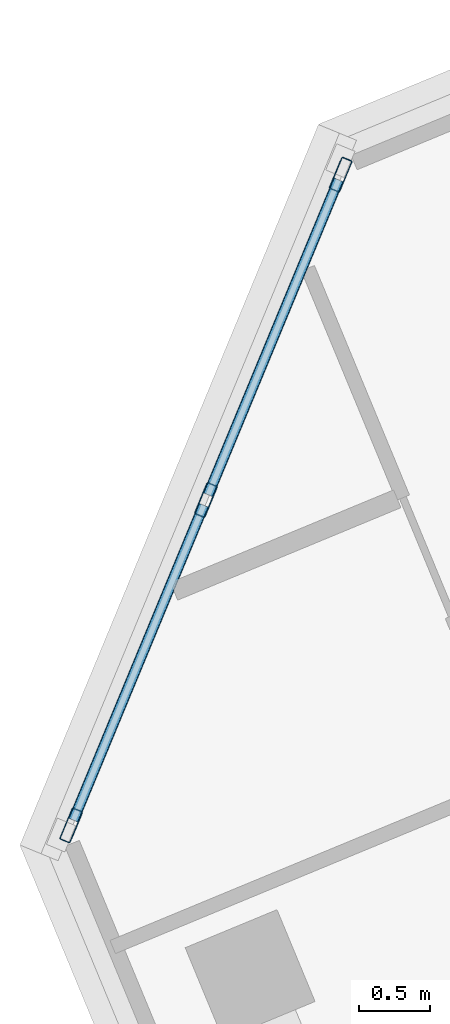
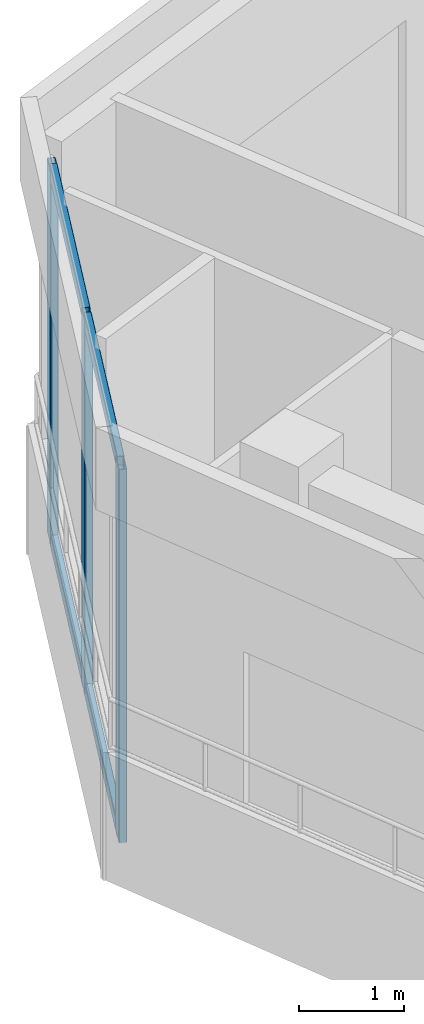
# One storey, part 4 of 17: 7 members, 1 element without a shape of its own.
"""IFC4 building model written with IfcOpenShell, lengths in metres."""

import ifcopenshell
import ifcopenshell.guid

model = None  # the IFC model being written
_history = None  # IfcOwnerHistory: only IFC2X3 demands one
_inside = {}  # id of a spatial element -> (the spatial element, [elements in it])
_under = {}  # id of a project, library or spatial element -> (it, [spatial elements below it])
_declared = {}  # id of a project -> (the project, [libraries it declares])
_typed = {}  # id of a type object -> (the type object, [elements of that type])
_made_of = {}  # id of a material, layer set ... -> (it, [elements and type objects made of it])


def new_model(schema):
    """Start an empty IFC model of exactly this schema.

    Asked for "IFC4X3", IfcOpenShell would pick the latest addendum, in which some entities
    have other attributes; the version numbers below select the first issue.
    IFC2X3 requires an IfcOwnerHistory on every rooted entity: one is made here for all.
    """
    global model, _history
    if schema == "IFC4X3":
        model = ifcopenshell.file(schema_version=(4, 3, 0, 0))
    else:
        model = ifcopenshell.file(schema=schema)
    _inside.clear()
    _under.clear()
    _declared.clear()
    _typed.clear()
    _made_of.clear()
    _history = None
    if model.schema == "IFC2X3":
        org = make("IfcOrganization", Name="unknown")
        user = make(
            "IfcPersonAndOrganization",
            ThePerson=make("IfcPerson", FamilyName="unknown"),
            TheOrganization=org,
        )
        app = make(
            "IfcApplication",
            ApplicationDeveloper=org,
            Version="unknown",
            ApplicationFullName="unknown",
            ApplicationIdentifier="unknown",
        )
        _history = make(
            "IfcOwnerHistory",
            OwningUser=user,
            OwningApplication=app,
            ChangeAction="ADDED",
            CreationDate=0,
        )
    return model


def make(cls, **values):
    """One entity of the class cls with the attributes given. An attribute that is None is left unset."""
    return model.create_entity(
        cls, **{name: value for name, value in values.items() if value is not None}
    )


def rooted(cls, **values):
    """An entity with a GlobalId (a new one), such as an element, a storey or a relation."""
    return make(cls, GlobalId=ifcopenshell.guid.new(), OwnerHistory=_history, **values)


def si_unit(unit_type, name, prefix=None):
    """IfcSIUnit, for example si_unit("LENGTHUNIT", "METRE", prefix="MILLI")."""
    return make("IfcSIUnit", UnitType=unit_type, Prefix=prefix, Name=name)


def assignment(units):
    """IfcUnitAssignment: the units of a project."""
    return None if units is None else make("IfcUnitAssignment", Units=units)


def point(xyz):
    """IfcCartesianPoint."""
    return None if xyz is None else make("IfcCartesianPoint", Coordinates=xyz)


def direction(xyz):
    """IfcDirection."""
    return None if xyz is None else make("IfcDirection", DirectionRatios=xyz)


def frame(location, z_axis=None, x_axis=None):
    """IfcAxis2Placement3D, a coordinate frame: its origin and axes. An axis left out is left unset."""
    return make(
        "IfcAxis2Placement3D",
        Location=point(location),
        Axis=direction(z_axis),
        RefDirection=direction(x_axis),
    )


def frame_2d(location, x_axis=None):
    """IfcAxis2Placement2D, a coordinate frame in the plane: its origin and x axis."""
    return make(
        "IfcAxis2Placement2D", Location=point(location), RefDirection=direction(x_axis)
    )


def origin():
    """The frame at (0, 0, 0) with its axes left unset."""
    return frame((0.0, 0.0, 0.0))


def origin_2d():
    """The frame at (0, 0) in the plane with its x axis left unset."""
    return frame_2d((0.0, 0.0))


def place(relative_to, where):
    """IfcLocalPlacement: puts the frame where relative to a parent placement (None: the world)."""
    return make(
        "IfcLocalPlacement", PlacementRelTo=relative_to, RelativePlacement=where
    )


def context(
    kind, dimensions, precision=None, world=None, true_north=None, identifier=None
):
    """IfcGeometricRepresentationContext, for example the 3D "Model" context."""
    return make(
        "IfcGeometricRepresentationContext",
        ContextIdentifier=identifier,
        ContextType=kind,
        CoordinateSpaceDimension=dimensions,
        Precision=precision,
        WorldCoordinateSystem=world,
        TrueNorth=true_north,
    )


def subcontext(parent, identifier, kind, view, scale=None):
    """IfcGeometricRepresentationSubContext, for example "Body" below "Model"."""
    return make(
        "IfcGeometricRepresentationSubContext",
        ContextIdentifier=identifier,
        ContextType=kind,
        ParentContext=parent,
        TargetScale=scale,
        TargetView=view,
    )


def project(units=None, contexts=None):
    """IfcProject with its units and contexts."""
    return rooted(
        "IfcProject",
        Name="project",
        RepresentationContexts=contexts,
        UnitsInContext=assignment(units),
    )


def spatial(cls, under=None, at=None, **own):
    """A site, building, storey or space (cls), placed at a placement, below another one or the project."""
    s = rooted(cls, ObjectPlacement=at, **own)
    if under is not None:
        _under.setdefault(under.id(), (under, []))[1].append(s)
    return s


def profile(cls, at=None, kind="AREA", **sizes):
    """A parametric profile (cls). Its sizes go by their IFC names, for example OverallWidth=200.0."""
    return make(cls, ProfileType=kind, Position=at, **sizes)


def hollow_rectangle(**sizes):
    """IfcRectangleHollowProfileDef."""
    return profile("IfcRectangleHollowProfileDef", **sizes)


def extrude(swept, where, along, depth):
    """IfcExtrudedAreaSolid: the profile swept, set in the frame where, extruded along a direction by depth."""
    return make(
        "IfcExtrudedAreaSolid",
        SweptArea=swept,
        Position=where,
        ExtrudedDirection=direction(along),
        Depth=depth,
    )


def shape(context_of_items, identifier, shape_type, items):
    """IfcShapeRepresentation: the items that make up one representation, for example the "Body"."""
    return make(
        "IfcShapeRepresentation",
        ContextOfItems=context_of_items,
        RepresentationIdentifier=identifier,
        RepresentationType=shape_type,
        Items=items,
    )


def source(mapping_origin, context_of_items, identifier, shape_type, items):
    """IfcRepresentationMap: a shape defined once, which mapped items show again and again."""
    return make(
        "IfcRepresentationMap",
        MappingOrigin=mapping_origin,
        MappedRepresentation=shape(context_of_items, identifier, shape_type, items),
    )


def transform(
    local_origin,
    x_axis=None,
    y_axis=None,
    z_axis=None,
    scale=None,
    scale2=None,
    scale3=None,
    uniform=True,
):
    """IfcCartesianTransformationOperator3D, or its non-uniform kind. x_axis, y_axis, z_axis: its Axis1, 2, 3."""
    if uniform:
        return make(
            "IfcCartesianTransformationOperator3D",
            Axis1=direction(x_axis),
            Axis2=direction(y_axis),
            LocalOrigin=point(local_origin),
            Scale=scale,
            Axis3=direction(z_axis),
        )
    return make(
        "IfcCartesianTransformationOperator3DnonUniform",
        Axis1=direction(x_axis),
        Axis2=direction(y_axis),
        LocalOrigin=point(local_origin),
        Scale=scale,
        Axis3=direction(z_axis),
        Scale2=scale2,
        Scale3=scale3,
    )


def mapped(mapping_source, mapping_target):
    """IfcMappedItem: shows the shape of a source again, moved by a transform."""
    return make(
        "IfcMappedItem", MappingSource=mapping_source, MappingTarget=mapping_target
    )


def material(Name=None, Category=None):
    """IfcMaterial."""
    return make("IfcMaterial", Name=Name, Category=Category)


def material_profile(
    of_material, cross_section, Name=None, Category=None, Priority=None
):
    """IfcMaterialProfile: a cross section and its material."""
    return make(
        "IfcMaterialProfile",
        Name=Name,
        Material=of_material,
        Profile=cross_section,
        Priority=Priority,
        Category=Category,
    )


def profile_set(profiles, Name=None, composite=None):
    """IfcMaterialProfileSet."""
    return make(
        "IfcMaterialProfileSet",
        Name=Name,
        MaterialProfiles=profiles,
        CompositeProfile=composite,
    )


def made_of(thing, what):
    """Note that an element or type object is made of a material, layer set ...; save() writes the relation."""
    if what is not None:
        _made_of.setdefault(what.id(), (what, []))[1].append(thing)
    return thing


def type_object(cls, material=None, **own):
    """A type object (cls), such as IfcWallType, which elements share."""
    return made_of(rooted(cls, **own), material)


def element(
    cls,
    number,
    at=None,
    inside=None,
    cuts=None,
    type_object=None,
    material=None,
    context=None,
    identifier="Body",
    shape_type=None,
    held_by="IfcProductDefinitionShape",
    body=None,
    shapes=None,
    **own,
):
    """One element of the class cls, such as IfcWall. Its Tag is "e" and its number.

    at: its placement. inside: the storey or other place that contains it. cuts: it is an
    opening in that element (IfcRelVoidsElement). A single representation is given by context,
    identifier, shape_type and body (its items); several are given by shapes. held_by: the class
    of the entity that holds the representations. save() writes the other relations.
    """
    e = rooted(cls, Tag="e%d" % number, ObjectPlacement=at, **own)
    if body is not None:
        shapes = [shape(context, identifier, shape_type, body)]
    if shapes is not None:
        e.Representation = make(held_by, Representations=shapes)
    if inside is not None:
        _inside.setdefault(inside.id(), (inside, []))[1].append(e)
    if cuts is not None:
        rooted(
            "IfcRelVoidsElement", RelatingBuildingElement=cuts, RelatedOpeningElement=e
        )
    if type_object is not None:
        _typed.setdefault(type_object.id(), (type_object, []))[1].append(e)
    return made_of(e, material)


def aggregate(whole, parts):
    """IfcRelAggregates: a whole, such as a stair, and the parts it consists of."""
    return rooted("IfcRelAggregates", RelatingObject=whole, RelatedObjects=parts)


def save(model, path):
    """Write the relations noted so far, then the file.

    IfcRelAggregates (storeys below a building ...), IfcRelContainedInSpatialStructure (elements
    in a storey), IfcRelDefinesByType, IfcRelAssociatesMaterial and IfcRelDeclares: one each for
    every whole, place, type object, material and project.
    """
    for whole, parts in _under.values():
        aggregate(whole, parts)
    for where, things in _inside.values():
        rooted(
            "IfcRelContainedInSpatialStructure",
            RelatedElements=things,
            RelatingStructure=where,
        )
    for kind, things in _typed.values():
        rooted("IfcRelDefinesByType", RelatedObjects=things, RelatingType=kind)
    for what, things in _made_of.values():
        rooted("IfcRelAssociatesMaterial", RelatedObjects=things, RelatingMaterial=what)
    for by, libraries in _declared.values():
        rooted("IfcRelDeclares", RelatingContext=by, RelatedDefinitions=libraries)
    model.write(path)


model = new_model("IFC4")

# Units and contexts
model_context = context("Model", 3, precision=1e-05, world=origin(), true_north=direction((0.0, 1.0)))
body_context = subcontext(model_context, "Body", "Model", "MODEL_VIEW")
ifc_project = project(units=[si_unit("LENGTHUNIT", "METRE"), si_unit("AREAUNIT", "SQUARE_METRE"), si_unit("VOLUMEUNIT", "CUBIC_METRE"), si_unit("PLANEANGLEUNIT", "RADIAN"), si_unit("MASSUNIT", "GRAM", prefix="KILO")], contexts=[model_context])

# Site, building, storey
site_placement = place(None, origin())
site = spatial("IfcSite", under=ifc_project, at=site_placement, CompositionType="ELEMENT")
building_placement = place(site_placement, origin())
building = spatial("IfcBuilding", under=site, at=building_placement, Name="Torre Montelarca", CompositionType="ELEMENT")
storey_placement = place(building_placement, frame((0.0, 0.0, 355.199951171875)))
storey = spatial("IfcBuildingStorey", under=building, at=storey_placement, Name="L80", CompositionType="ELEMENT", Elevation=355.199951171875)

# Curtain wall, members
ifc_material_1 = material(Name="Amber translucent laminated glass", Category="glass")
curtain_wall_type = type_object("IfcCurtainWallType", Name="CW-SYS-LANT", PredefinedType="USERDEFINED", material=ifc_material_1)
curtain_wall_placement = place(storey_placement, origin())
curtain_wall = element("IfcCurtainWall", 1, at=curtain_wall_placement, inside=storey, type_object=curtain_wall_type, Name="L80 Curtain Wall Run CW-T3-L80-E11-B1", ObjectType="TRANSLUCENT LANTERN", PredefinedType="USERDEFINED")
ifc_material_2 = material(Name="Anodised aluminium AA 6063-T6", Category="aluminium")
ifc_material_profile_1 = material_profile(ifc_material_2, hollow_rectangle(XDim=0.074951171875, YDim=0.159912109375, WallThickness=0.0048828125, InnerFilletRadius=0.0048828125, OuterFilletRadius=0.010009765625, at=origin_2d()), Name="ALU75X160X5", Category="aluminium")
ifc_profile_set_1 = profile_set([ifc_material_profile_1], Name="Anodised aluminium AA 6063-T6")
member_type_1 = type_object("IfcMemberType", Name="CWT-ALU160", PredefinedType="USERDEFINED", material=ifc_profile_set_1)
shared_shape_1 = source(origin(), body_context, "Body", "SweptSolid", [
    extrude(hollow_rectangle(XDim=0.074951171875, YDim=0.159912109375, WallThickness=0.0048828125, InnerFilletRadius=0.0048828125, OuterFilletRadius=0.010009765625, at=origin_2d()), origin(), (0.0, 0.0, 1.0), 2.401123046875),
])
member_1_placement = place(storey_placement, frame((1.448486328125, 42.565185546875, 0.03759765625), z_axis=(-0.382600235697, -0.923913989311, 0.0), x_axis=(0.923913989311, -0.382600235697, 0.0)))
member_1 = element("IfcMember", 2, at=member_1_placement, type_object=member_type_1, Name="CW transom 1.1", ObjectType="TRANSOM", PredefinedType="USERDEFINED", context=body_context, shape_type="MappedRepresentation", body=[
    mapped(shared_shape_1, transform((0.0, 0.0, 0.0), scale=1.0)),
])
member_2_placement = place(storey_placement, frame((1.448486328125, 42.565185546875, 4.282470703125), z_axis=(-0.382600235697, -0.923913989311, 0.0), x_axis=(0.923913989311, -0.382600235697, 0.0)))
member_2 = element("IfcMember", 3, at=member_2_placement, type_object=member_type_1, Name="CW transom 1.2", ObjectType="TRANSOM", PredefinedType="USERDEFINED", context=body_context, shape_type="MappedRepresentation", body=[
    mapped(shared_shape_1, transform((0.0, 0.0, 0.0), scale=1.0)),
])
member_3_placement = place(storey_placement, frame((0.4990234375, 40.27294921875, 0.03759765625), z_axis=(-0.382600235697, -0.923913989311, 0.0), x_axis=(0.923913989311, -0.382600235697, 0.0)))
member_3 = element("IfcMember", 4, at=member_3_placement, type_object=member_type_1, Name="CW transom 2.1", ObjectType="TRANSOM", PredefinedType="USERDEFINED", context=body_context, shape_type="MappedRepresentation", body=[
    mapped(shared_shape_1, transform((0.0, 0.0, 0.0), scale=1.0)),
])
member_4_placement = place(storey_placement, frame((0.4990234375, 40.27294921875, 4.282470703125), z_axis=(-0.382600235697, -0.923913989311, 0.0), x_axis=(0.923913989311, -0.382600235697, 0.0)))
member_4 = element("IfcMember", 5, at=member_4_placement, type_object=member_type_1, Name="CW transom 2.2", ObjectType="TRANSOM", PredefinedType="USERDEFINED", context=body_context, shape_type="MappedRepresentation", body=[
    mapped(shared_shape_1, transform((0.0, 0.0, 0.0), scale=1.0)),
])
ifc_material_profile_2 = material_profile(ifc_material_2, hollow_rectangle(XDim=0.080078125, YDim=0.239990234375, WallThickness=0.0048828125, InnerFilletRadius=0.0048828125, OuterFilletRadius=0.010009765625, at=origin_2d()), Name="ALU80X240X5", Category="aluminium")
ifc_profile_set_2 = profile_set([ifc_material_profile_2], Name="Anodised aluminium AA 6063-T6")
member_type_2 = type_object("IfcMemberType", Name="CWM-ALU240", PredefinedType="MULLION", material=ifc_profile_set_2)
shared_shape_2 = source(origin(), body_context, "Body", "SweptSolid", [
    extrude(hollow_rectangle(XDim=0.080078125, YDim=0.239990234375, WallThickness=0.0048828125, InnerFilletRadius=0.0048828125, OuterFilletRadius=0.010009765625, at=origin_2d()), origin(), (0.0, 0.0, 1.0), 4.320068359375),
])
member_5_placement = place(storey_placement, frame((1.4638671875, 42.60205078125, 0.0), z_axis=(0.0, 0.0, 1.0), x_axis=(0.923884613184, -0.382671166306, 0.0)))
member_5 = element("IfcMember", 6, at=member_5_placement, type_object=member_type_2, Name="CW mullion 1", PredefinedType="MULLION", context=body_context, shape_type="MappedRepresentation", body=[
    mapped(shared_shape_2, transform((0.0, 0.0, 0.0), scale=1.0)),
])
member_6_placement = place(storey_placement, frame((0.514404296875, 40.309814453125, 0.0), z_axis=(0.0, 0.0, 1.0), x_axis=(0.923884613184, -0.382671166306, 0.0)))
member_6 = element("IfcMember", 7, at=member_6_placement, type_object=member_type_2, Name="CW mullion 2", PredefinedType="MULLION", context=body_context, shape_type="MappedRepresentation", body=[
    mapped(shared_shape_2, transform((0.0, 0.0, 0.0), scale=1.0)),
])
member_7_placement = place(storey_placement, frame((-0.43505859375, 38.017578125, 0.0), z_axis=(0.0, 0.0, 1.0), x_axis=(0.923884613184, -0.382671166306, 0.0)))
member_7 = element("IfcMember", 8, at=member_7_placement, type_object=member_type_2, Name="CW mullion 3", PredefinedType="MULLION", context=body_context, shape_type="MappedRepresentation", body=[
    mapped(shared_shape_2, transform((0.0, 0.0, 0.0), scale=1.0)),
])
aggregate(curtain_wall, [member_5, member_6, member_7, member_1, member_2, member_3, member_4])

save(model, "model.ifc")
